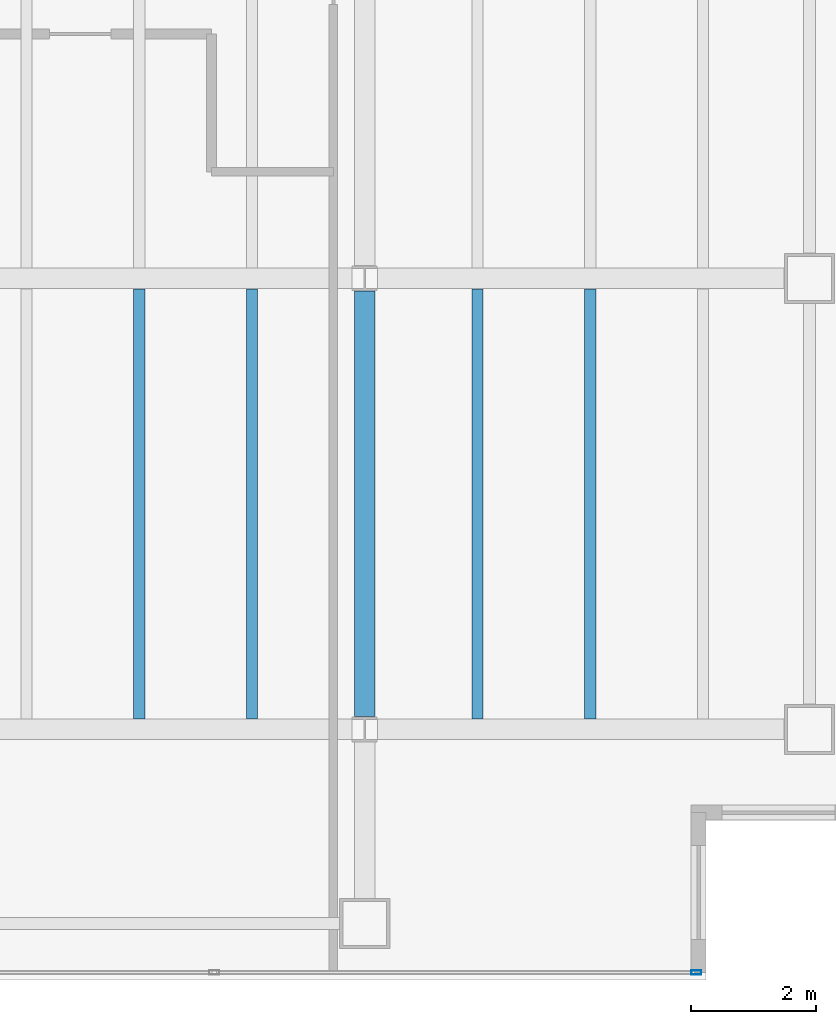
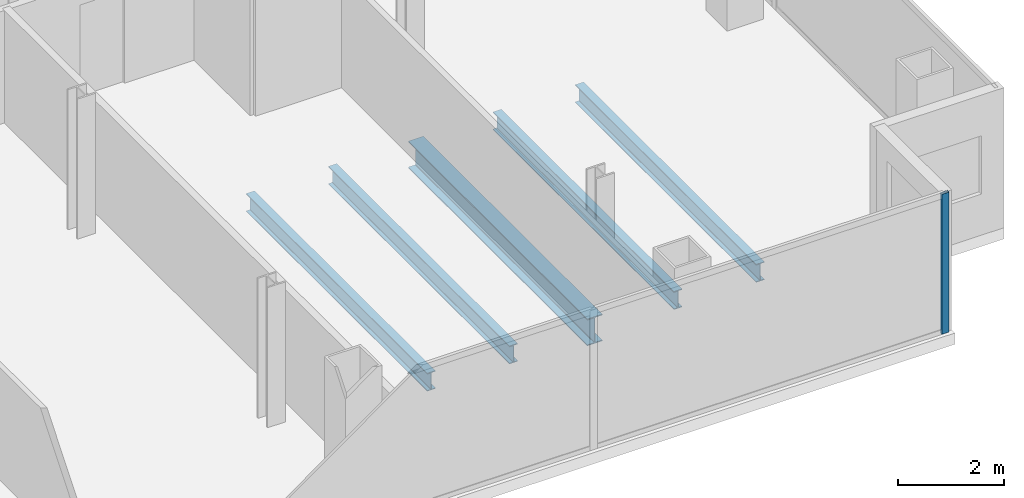
# One storey, part 11 of 23: 5 beams, 1 member, 1 element without a shape of its own.
"""IFC4 building model written with IfcOpenShell, lengths in metres."""

from ifc_helpers import new_model, si_unit, direction, frame, origin, origin_2d, place, context, subcontext, project, spatial, hollow_rectangle, i_section, extrude, material, material_profile, profile_set, type_object, element, aggregate, save


model = new_model("IFC4")

# Units and contexts
model_context = context("Model", 3, precision=1e-05, world=origin(), true_north=direction((0.0, 1.0)))
body_context = subcontext(model_context, "Body", "Model", "MODEL_VIEW")
ifc_project = project(units=[si_unit("LENGTHUNIT", "METRE"), si_unit("AREAUNIT", "SQUARE_METRE"), si_unit("VOLUMEUNIT", "CUBIC_METRE"), si_unit("PLANEANGLEUNIT", "RADIAN"), si_unit("MASSUNIT", "GRAM", prefix="KILO")], contexts=[model_context])

# Site, building, storey
site_placement = place(None, origin())
site = spatial("IfcSite", under=ifc_project, at=site_placement, CompositionType="ELEMENT")
building_placement = place(site_placement, origin())
building = spatial("IfcBuilding", under=site, at=building_placement, Name="Cobrela Telecom Tower", CompositionType="ELEMENT")
storey_placement = place(building_placement, frame((0.0, 0.0, 190.75)))
storey = spatial("IfcBuildingStorey", under=building, at=storey_placement, Name="L48", CompositionType="ELEMENT", Elevation=190.75)

# Beams
ifc_material_1 = material(Name="Steel ASTM A992 Grade 50", Category="steel")
ifc_material_profile_1 = material_profile(ifc_material_1, i_section(OverallWidth=0.327880859375, OverallDepth=0.6220703125, WebThickness=0.015380859375, FlangeThickness=0.0244140625, FilletRadius=0.014892578125, at=origin_2d()), Name="W24X131")
ifc_profile_set_1 = profile_set([ifc_material_profile_1], Name="Steel ASTM A992 Grade 50")
beam_type_1 = type_object("IfcBeamType", Name="BM-GIRD-06", PredefinedType="USERDEFINED", material=ifc_profile_set_1)
beam_placement = place(storey_placement, frame((36.0, 7.404541015625, -0.571044921875), z_axis=(0.0, 1.0, 0.0), x_axis=(-1.0, 0.0, 0.0)))
element("IfcBeam", 1, at=beam_placement, inside=storey, type_object=beam_type_1, Name="L48 Primary Girder Y40", ObjectType="GIRDER", PredefinedType="USERDEFINED", context=body_context, shape_type="SweptSolid", body=[
    extrude(i_section(OverallWidth=0.327880859375, OverallDepth=0.6220703125, WebThickness=0.015380859375, FlangeThickness=0.0244140625, FilletRadius=0.014892578125, at=origin_2d()), origin(), (0.0, 0.0, 1.0), 6.791015625),
])
ifc_material_profile_2 = material_profile(ifc_material_1, i_section(OverallWidth=0.179931640625, OverallDepth=0.4169921875, WebThickness=0.010986328125, FlangeThickness=0.01806640625, FilletRadius=0.011962890625, at=origin_2d()), Name="W16X57")
ifc_profile_set_2 = profile_set([ifc_material_profile_2], Name="Steel ASTM A992 Grade 50")
beam_type_2 = type_object("IfcBeamType", Name="BM-JOIST-04", PredefinedType="JOIST", material=ifc_profile_set_2)
for number, where, z_axis, x_axis, name in (
    (2, (32.39990234375, 7.368896484375, -0.468505859375), (0.0, 1.0, 0.0), (-1.0, 0.0, 0.0), "L48 Secondary Composite Floor Beam J21"),
    (3, (34.199951171875, 7.368896484375, -0.468505859375), (0.0, 1.0, 0.0), (-1.0, 0.0, 0.0), "L48 Secondary Composite Floor Beam J23"),
    (4, (37.800048828125, 7.368896484375, -0.468505859375), (0.0, 1.0, 0.0), (-1.0, 0.0, 0.0), "L48 Secondary Composite Floor Beam J25"),
    (5, (39.60009765625, 7.368896484375, -0.468505859375), (0.0, 1.0, 0.0), (-1.0, 0.0, 0.0), "L48 Secondary Composite Floor Beam J27"),
):
    element("IfcBeam", number, at=place(storey_placement, frame(where, z_axis=z_axis, x_axis=x_axis)), inside=storey, type_object=beam_type_2, Name=name, PredefinedType="JOIST", context=body_context, shape_type="SweptSolid", body=[
        extrude(i_section(OverallWidth=0.179931640625, OverallDepth=0.4169921875, WebThickness=0.010986328125, FlangeThickness=0.01806640625, FilletRadius=0.011962890625, at=origin_2d()), origin(), (0.0, 0.0, 1.0), 6.862060546875),
    ])

# Curtain wall, member
ifc_material_2 = material(Name="Anodized Bronze Aluminium 6063-T6", Category="aluminium")
curtain_wall_type = type_object("IfcCurtainWallType", Name="CW-SYS-OFF-LO", PredefinedType="USERDEFINED", material=ifc_material_2)
curtain_wall_placement = place(storey_placement, origin())
curtain_wall = element("IfcCurtainWall", 6, at=curtain_wall_placement, inside=storey, type_object=curtain_wall_type, Name="L48 Unitised Bronze Curtain Wall 17", ObjectType="UNITISED CURTAIN WALL", PredefinedType="USERDEFINED")
ifc_material_profile_3 = material_profile(ifc_material_2, hollow_rectangle(XDim=0.070068359375, YDim=0.159912109375, WallThickness=0.00390625, at=origin_2d()), Name="ALU 70x160x4")
ifc_profile_set_3 = profile_set([ifc_material_profile_3], Name="Anodized Bronze Aluminium 6063-T6")
member_type = type_object("IfcMemberType", Name="CW-SYS-OFF-LO-MUL", PredefinedType="MULLION", material=ifc_profile_set_3)
member_placement = place(storey_placement, frame((41.294921875, 3.320068359375, 0.0), z_axis=(0.0, 0.0, 1.0), x_axis=(0.0, -1.0, 0.0)))
member = element("IfcMember", 7, at=member_placement, type_object=member_type, Name="CW-OFF-LO mullion 1", PredefinedType="MULLION", context=body_context, shape_type="SweptSolid", body=[
    extrude(hollow_rectangle(XDim=0.070068359375, YDim=0.159912109375, WallThickness=0.00390625, at=origin_2d()), origin(), (0.0, 0.0, 1.0), 3.239990234375),
])
aggregate(curtain_wall, [member])

save(model, "model.ifc")
